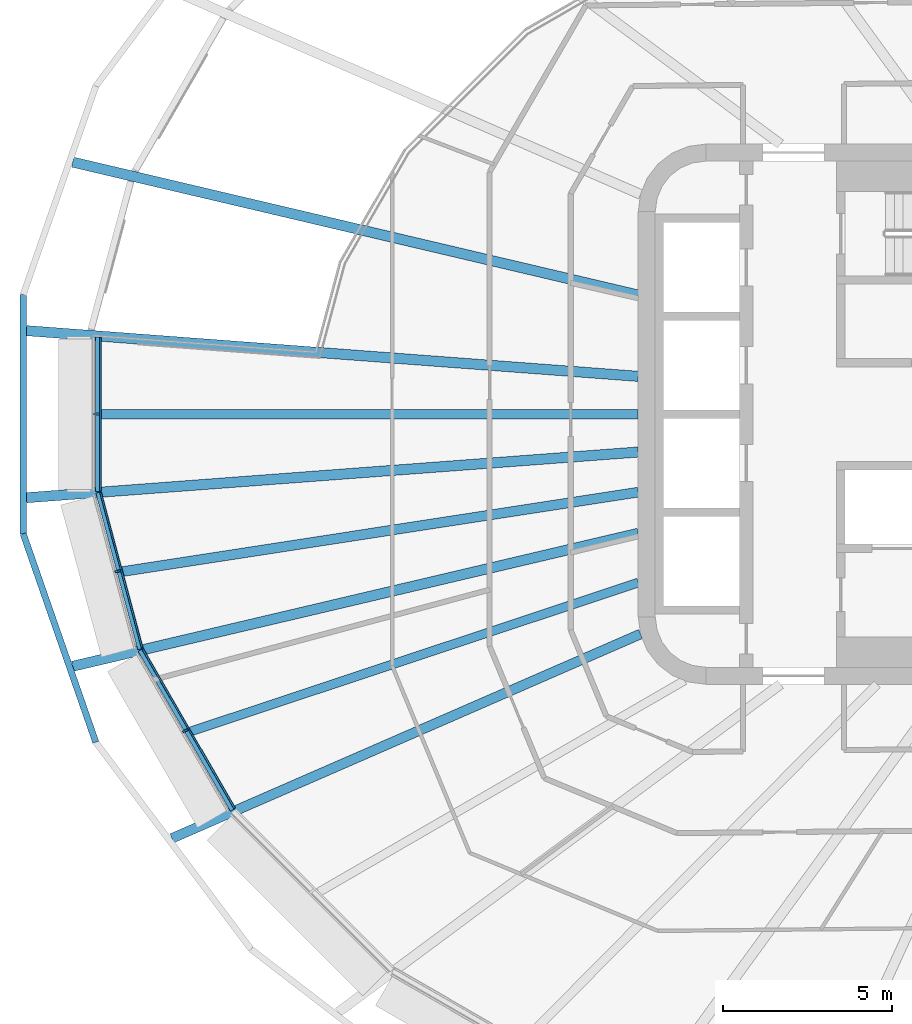
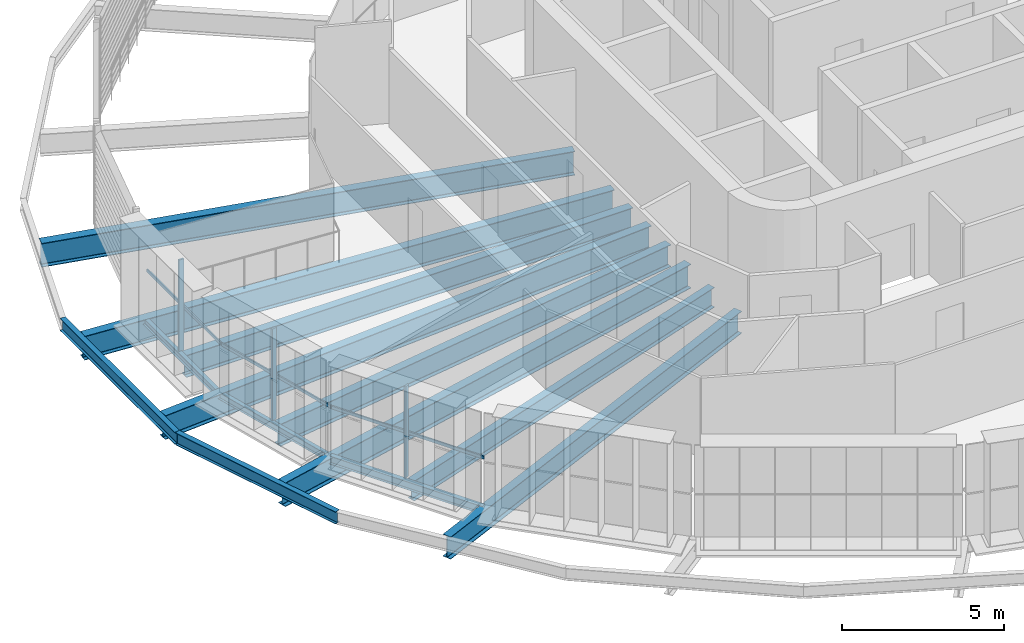
# One storey, part 2 of 23: 13 beams, 6 members, 3 elements without a shape of their own.
"""IFC4 building model written with IfcOpenShell, lengths in metres."""

from ifc_helpers import new_model, si_unit, direction, frame, origin, origin_2d, place, context, subcontext, project, spatial, rectangle, i_section, extrude, material, layer, layer_set, material_profile, profile_set, type_object, element, aggregate, save


model = new_model("IFC4")

# Units and contexts
model_context = context("Model", 3, precision=1e-05, world=origin(), true_north=direction((0.0, 1.0)))
body_context = subcontext(model_context, "Body", "Model", "MODEL_VIEW")
ifc_project = project(units=[si_unit("LENGTHUNIT", "METRE"), si_unit("AREAUNIT", "SQUARE_METRE"), si_unit("VOLUMEUNIT", "CUBIC_METRE"), si_unit("PLANEANGLEUNIT", "RADIAN"), si_unit("MASSUNIT", "GRAM", prefix="KILO")], contexts=[model_context])

# Site, building, storey
site_placement = place(None, origin())
site = spatial("IfcSite", under=ifc_project, at=site_placement, CompositionType="ELEMENT")
building_placement = place(site_placement, origin())
building = spatial("IfcBuilding", under=site, at=building_placement, Name="Sahrelin Media Tower", CompositionType="ELEMENT")
storey_placement = place(building_placement, frame((0.0, 0.0, 173.60009765625)))
storey = spatial("IfcBuildingStorey", under=building, at=storey_placement, Name="L36", CompositionType="ELEMENT", Elevation=173.60009765625)

# Beams
ifc_material_1 = material(Name="Steel S355", Category="steel")
ifc_material_profile_1 = material_profile(ifc_material_1, i_section(OverallWidth=0.14599609375, OverallDepth=0.25146484375, WebThickness=0.006103515625, FlangeThickness=0.008544921875, FilletRadius=0.007568359375, at=origin_2d()), Name="UB 254x146x31")
ifc_profile_set_1 = profile_set([ifc_material_profile_1], Name="Steel S355")
beam_type_1 = type_object("IfcBeamType", Name="Edge beam EB1", PredefinedType="BEAM", material=ifc_profile_set_1)
beam_1_placement = place(storey_placement, frame((-29.753173828125, -6.956787109375, -0.27587890625), z_axis=(-0.258792876481, 0.96593283777, 0.0), x_axis=(-0.96593283777, -0.258792876481, 0.0)))
element("IfcBeam", 1, at=beam_1_placement, inside=storey, type_object=beam_type_1, Name="Edge beam L36-12", PredefinedType="BEAM", context=body_context, shape_type="SweptSolid", body=[
    extrude(i_section(OverallWidth=0.14599609375, OverallDepth=0.25146484375, WebThickness=0.006103515625, FlangeThickness=0.008544921875, FilletRadius=0.007568359375, at=origin_2d()), origin(), (0.0, 0.0, 1.0), 4.799072265625),
])
beam_2_placement = place(storey_placement, frame((-30.998779296875, -2.292724609375, -0.27587890625), z_axis=(0.0, 1.0, 0.0), x_axis=(-1.0, 0.0, 0.0)))
element("IfcBeam", 2, at=beam_2_placement, inside=storey, type_object=beam_type_1, Name="Edge beam L36-13", PredefinedType="BEAM", context=body_context, shape_type="SweptSolid", body=[
    extrude(i_section(OverallWidth=0.14599609375, OverallDepth=0.25146484375, WebThickness=0.006103515625, FlangeThickness=0.008544921875, FilletRadius=0.007568359375, at=origin_2d()), origin(), (0.0, 0.0, 1.0), 4.58544921875),
])
ifc_material_profile_2 = material_profile(ifc_material_1, i_section(OverallWidth=0.1650390625, OverallDepth=0.303466796875, WebThickness=0.006103515625, FlangeThickness=0.01025390625, FilletRadius=0.0087890625, at=origin_2d()), Name="UB 305x165x40")
ifc_profile_set_2 = profile_set([ifc_material_profile_2], Name="Steel S355")
beam_type_2 = type_object("IfcBeamType", Name="Edge beam EB2", PredefinedType="BEAM", material=ifc_profile_set_2)
beam_3_placement = place(storey_placement, frame((-27.007080078125, -11.720458984375, -0.3017578125), z_axis=(-0.500022519152, 0.866012401956, 0.0), x_axis=(-0.866012401956, -0.500022519152, 0.0)))
element("IfcBeam", 3, at=beam_3_placement, inside=storey, type_object=beam_type_2, Name="Edge beam L36-11", PredefinedType="BEAM", context=body_context, shape_type="SweptSolid", body=[
    extrude(i_section(OverallWidth=0.1650390625, OverallDepth=0.303466796875, WebThickness=0.006103515625, FlangeThickness=0.01025390625, FilletRadius=0.0087890625, at=origin_2d()), origin(), (0.0, 0.0, 1.0), 5.469970703125),
])

# Curtain wall, member
ifc_material_2 = material(Name="Champagne anodised aluminium 6063-T6", Category="aluminium")
ifc_layer = layer(ifc_material_2, 0.14990234375)
ifc_layer_set = layer_set([ifc_layer], Name="Tower ribbon curtain wall")
curtain_wall_type = type_object("IfcCurtainWallType", Name="Tower ribbon curtain wall", PredefinedType="NOTDEFINED", material=ifc_layer_set)
curtain_wall_1_placement = place(storey_placement, frame((-31.14892578125, 0.0, 0.0), z_axis=(0.0, 0.0, 1.0), x_axis=(1.0, 0.0, 0.0)))
curtain_wall_1 = element("IfcCurtainWall", 4, at=curtain_wall_1_placement, inside=storey, type_object=curtain_wall_type, Name="L36:CW:L36-12", PredefinedType="NOTDEFINED")
ifc_material_profile_3 = material_profile(ifc_material_2, rectangle(XDim=0.06005859375, YDim=0.175048828125, at=origin_2d()), Name="Mullion 60x175")
ifc_profile_set_3 = profile_set([ifc_material_profile_3], Name="Champagne anodised aluminium 6063-T6")
member_type_1 = type_object("IfcMemberType", Name="Mullion 60x175 CW1B", PredefinedType="MULLION", material=ifc_profile_set_3)
member_1_placement = place(storey_placement, frame((-31.04150390625, 0.0, 0.0), z_axis=(0.0, 0.0, 1.0), x_axis=(0.0, -1.0, 0.0)))
member_1 = element("IfcMember", 5, at=member_1_placement, type_object=member_type_1, Name="L36:CWM:L36-12", PredefinedType="MULLION", context=body_context, shape_type="SweptSolid", body=[
    extrude(rectangle(XDim=0.06005859375, YDim=0.175048828125, at=origin_2d()), origin(), (0.0, 0.0, 1.0), 3.448486328125),
])

curtain_wall_2_placement = place(storey_placement, frame((-30.51904296875, -4.677978515625, 0.0), z_axis=(0.0, 0.0, 1.0), x_axis=(1.0, 0.0, 0.0)))
curtain_wall_2 = element("IfcCurtainWall", 6, at=curtain_wall_2_placement, inside=storey, type_object=curtain_wall_type, Name="L36:CW:L36-13", PredefinedType="NOTDEFINED")
member_2_placement = place(storey_placement, frame((-30.415283203125, -4.650146484375, 0.0), z_axis=(0.0, 0.0, 1.0), x_axis=(0.258820730961, -0.965925374563, 0.0)))
member_2 = element("IfcMember", 7, at=member_2_placement, type_object=member_type_1, Name="L36:CWM:L36-13", PredefinedType="MULLION", context=body_context, shape_type="SweptSolid", body=[
    extrude(rectangle(XDim=0.06005859375, YDim=0.175048828125, at=origin_2d()), origin(), (0.0, 0.0, 1.0), 3.448486328125),
])

curtain_wall_3_placement = place(storey_placement, frame((-28.50439453125, -9.427001953125, 0.0), z_axis=(0.0, 0.0, 1.0), x_axis=(1.0, 0.0, 0.0)))
curtain_wall_3 = element("IfcCurtainWall", 8, at=curtain_wall_3_placement, inside=storey, type_object=curtain_wall_type, Name="L36:CW:L36-14", PredefinedType="NOTDEFINED")
member_3_placement = place(storey_placement, frame((-28.411376953125, -9.373291015625, 0.0), z_axis=(0.0, 0.0, 1.0), x_axis=(0.5, -0.866025403784, 0.0)))
member_3 = element("IfcMember", 9, at=member_3_placement, type_object=member_type_1, Name="L36:CWM:L36-14", PredefinedType="MULLION", context=body_context, shape_type="SweptSolid", body=[
    extrude(rectangle(XDim=0.06005859375, YDim=0.175048828125, at=origin_2d()), origin(), (0.0, 0.0, 1.0), 3.448486328125),
])

# Beams
ifc_material_profile_4 = material_profile(ifc_material_1, i_section(OverallWidth=0.291748046875, OverallDepth=0.8349609375, WebThickness=0.013916015625, FlangeThickness=0.018798828125, FilletRadius=0.017822265625, at=origin_2d()), Name="UB 838x292x176")
ifc_profile_set_4 = profile_set([ifc_material_profile_4], Name="Steel S355")
beam_type_3 = type_object("IfcBeamType", Name="Radial primary beam PB10", PredefinedType="BEAM", material=ifc_profile_set_4)
beam_4_placement = place(storey_placement, frame((-14.932861328125, -6.510986328125, -0.567626953125), z_axis=(-0.916643258443, -0.399706313124, 0.0), x_axis=(0.399706313124, -0.916643258443, 0.0)))
element("IfcBeam", 10, at=beam_4_placement, inside=storey, type_object=beam_type_3, Name="Radial beam L36-15", PredefinedType="BEAM", context=body_context, shape_type="SweptSolid", body=[
    extrude(i_section(OverallWidth=0.291748046875, OverallDepth=0.8349609375, WebThickness=0.013916015625, FlangeThickness=0.018798828125, FilletRadius=0.017822265625, at=origin_2d()), origin(), (0.0, 0.0, 1.0), 15.142333984375),
])
ifc_material_profile_5 = material_profile(ifc_material_1, i_section(OverallWidth=0.30322265625, OverallDepth=0.903076171875, WebThickness=0.01513671875, FlangeThickness=0.020263671875, FilletRadius=0.01904296875, at=origin_2d()), Name="UB 914x305x201")
ifc_profile_set_5 = profile_set([ifc_material_profile_5], Name="Steel S355")
beam_type_4 = type_object("IfcBeamType", Name="Radial primary beam PB11", PredefinedType="BEAM", material=ifc_profile_set_5)
beam_5_placement = place(storey_placement, frame((-15.0, 3.52734375, -0.6015625), z_axis=(-0.973446560377, 0.22891438157, 0.0), x_axis=(-0.22891438157, -0.973446560377, 0.0)))
element("IfcBeam", 11, at=beam_5_placement, inside=storey, type_object=beam_type_4, Name="Radial beam L36-11", PredefinedType="BEAM", context=body_context, shape_type="SweptSolid", body=[
    extrude(i_section(OverallWidth=0.30322265625, OverallDepth=0.903076171875, WebThickness=0.01513671875, FlangeThickness=0.020263671875, FilletRadius=0.01904296875, at=origin_2d()), origin(), (0.0, 0.0, 1.0), 17.20703125),
])
for number, where, z_axis, x_axis, name in (
    (12, (-15.0, 1.12060546875, -0.6015625), (-0.997220411317, 0.074508061664, 0.0), (-0.074508061664, -0.997220411317, 0.0), "Radial beam L36-12"),
    (13, (-15.0, -1.12060546875, -0.6015625), (-0.997220411317, -0.074508061664, 0.0), (0.074508061664, -0.997220411317, 0.0), "Radial beam L36-13"),
):
    element("IfcBeam", number, at=place(storey_placement, frame(where, z_axis=z_axis, x_axis=x_axis)), inside=storey, type_object=beam_type_4, Name=name, PredefinedType="BEAM", context=body_context, shape_type="SweptSolid", body=[
        extrude(i_section(OverallWidth=0.30322265625, OverallDepth=0.903076171875, WebThickness=0.01513671875, FlangeThickness=0.020263671875, FilletRadius=0.01904296875, at=origin_2d()), origin(), (0.0, 0.0, 1.0), 18.172607421875),
    ])
beam_6_placement = place(storey_placement, frame((-15.0, -3.52734375, -0.6015625), z_axis=(-0.973446560377, -0.22891438157, 0.0), x_axis=(0.22891438157, -0.973446560377, 0.0)))
element("IfcBeam", 14, at=beam_6_placement, inside=storey, type_object=beam_type_4, Name="Radial beam L36-14", PredefinedType="BEAM", context=body_context, shape_type="SweptSolid", body=[
    extrude(i_section(OverallWidth=0.30322265625, OverallDepth=0.903076171875, WebThickness=0.01513671875, FlangeThickness=0.020263671875, FilletRadius=0.01904296875, at=origin_2d()), origin(), (0.0, 0.0, 1.0), 17.20703125),
])
ifc_material_profile_6 = material_profile(ifc_material_1, i_section(OverallWidth=0.291748046875, OverallDepth=0.8349609375, WebThickness=0.013916015625, FlangeThickness=0.018798828125, FilletRadius=0.017822265625, at=origin_2d()), Name="UB 838x292x176")
ifc_profile_set_6 = profile_set([ifc_material_profile_6], Name="Steel S355")
beam_type_5 = type_object("IfcBeamType", Name="Radial secondary beam SB10", PredefinedType="BEAM", material=ifc_profile_set_6)
beam_7_placement = place(storey_placement, frame((-15.0, 0.0, -0.567626953125), z_axis=(-1.0, 0.0, 0.0), x_axis=(0.0, -1.0, 0.0)))
element("IfcBeam", 15, at=beam_7_placement, inside=storey, type_object=beam_type_5, Name="Secondary beam L36-08", PredefinedType="BEAM", context=body_context, shape_type="SweptSolid", body=[
    extrude(i_section(OverallWidth=0.291748046875, OverallDepth=0.8349609375, WebThickness=0.013916015625, FlangeThickness=0.018798828125, FilletRadius=0.017822265625, at=origin_2d()), origin(), (0.0, 0.0, 1.0), 15.92578125),
])
beam_8_placement = place(storey_placement, frame((-15.0, -2.3095703125, -0.567626953125), z_axis=(-0.988355456355, -0.152162715185, 0.0), x_axis=(0.152162715185, -0.988355456355, 0.0)))
element("IfcBeam", 16, at=beam_8_placement, inside=storey, type_object=beam_type_5, Name="Secondary beam L36-09", PredefinedType="BEAM", context=body_context, shape_type="SweptSolid", body=[
    extrude(i_section(OverallWidth=0.291748046875, OverallDepth=0.8349609375, WebThickness=0.013916015625, FlangeThickness=0.018798828125, FilletRadius=0.017822265625, at=origin_2d()), origin(), (0.0, 0.0, 1.0), 15.471923828125),
])
ifc_material_profile_7 = material_profile(ifc_material_1, i_section(OverallWidth=0.26513671875, OverallDepth=0.75390625, WebThickness=0.0126953125, FlangeThickness=0.017578125, FilletRadius=0.0166015625, at=origin_2d()), Name="UB 762x267x147")
ifc_profile_set_7 = profile_set([ifc_material_profile_7], Name="Steel S355")
beam_type_6 = type_object("IfcBeamType", Name="Radial secondary beam SB9", PredefinedType="BEAM", material=ifc_profile_set_7)
beam_9_placement = place(storey_placement, frame((-15.0, -4.98876953125, -0.527099609375), z_axis=(-0.948901563502, -0.315572214848, 0.0), x_axis=(0.315572214848, -0.948901563502, 0.0)))
element("IfcBeam", 17, at=beam_9_placement, inside=storey, type_object=beam_type_6, Name="Secondary beam L36-10", PredefinedType="BEAM", context=body_context, shape_type="SweptSolid", body=[
    extrude(i_section(OverallWidth=0.26513671875, OverallDepth=0.75390625, WebThickness=0.0126953125, FlangeThickness=0.017578125, FilletRadius=0.0166015625, at=origin_2d()), origin(), (0.0, 0.0, 1.0), 13.96728515625),
])
ifc_material_profile_8 = material_profile(ifc_material_1, i_section(OverallWidth=0.1904296875, OverallDepth=0.45703125, WebThickness=0.009033203125, FlangeThickness=0.014404296875, FilletRadius=0.01025390625, at=origin_2d()), Name="UB 457x191x74")
ifc_profile_set_8 = profile_set([ifc_material_profile_8], Name="Steel S355")
beam_type_7 = type_object("IfcBeamType", Name="Tie chord TC5", PredefinedType="BEAM", material=ifc_profile_set_8)
beam_10_placement = place(storey_placement, frame((-33.21728515625, 3.541748046875, -0.378662109375), z_axis=(0.0, -1.0, 0.0), x_axis=(1.0, 0.0, 0.0)))
element("IfcBeam", 18, at=beam_10_placement, inside=storey, type_object=beam_type_7, Name="Tie chord L36-12", PredefinedType="BEAM", context=body_context, shape_type="SweptSolid", body=[
    extrude(i_section(OverallWidth=0.1904296875, OverallDepth=0.45703125, WebThickness=0.009033203125, FlangeThickness=0.014404296875, FilletRadius=0.01025390625, at=origin_2d()), origin(), (0.0, 0.0, 1.0), 7.08349609375),
])
beam_11_placement = place(storey_placement, frame((-33.21728515625, -3.541748046875, -0.378662109375), z_axis=(0.328791447129, -0.944402554155, 0.0), x_axis=(0.944402554155, 0.328791447129, 0.0)))
element("IfcBeam", 19, at=beam_11_placement, inside=storey, type_object=beam_type_7, Name="Tie chord L36-13", PredefinedType="BEAM", context=body_context, shape_type="SweptSolid", body=[
    extrude(i_section(OverallWidth=0.1904296875, OverallDepth=0.45703125, WebThickness=0.009033203125, FlangeThickness=0.014404296875, FilletRadius=0.01025390625, at=origin_2d()), origin(), (0.0, 0.0, 1.0), 6.5380859375),
])

# Member
ifc_material_profile_9 = material_profile(ifc_material_2, rectangle(XDim=0.050048828125, YDim=0.110107421875, at=origin_2d()), Name="Transom 50x110")
ifc_profile_set_9 = profile_set([ifc_material_profile_9], Name="Champagne anodised aluminium 6063-T6")
member_type_2 = type_object("IfcMemberType", Name="Transom 50x110 CW1B", PredefinedType="USERDEFINED", material=ifc_profile_set_9)
member_4_placement = place(storey_placement, frame((-30.928955078125, 2.277099609375, 1.599853515625), z_axis=(0.0, -1.0, 0.0), x_axis=(1.0, 0.0, 0.0)))
member_4 = element("IfcMember", 20, at=member_4_placement, type_object=member_type_2, Name="L36:CWT:L36-12", ObjectType="TRANSOM", PredefinedType="USERDEFINED", context=body_context, shape_type="SweptSolid", body=[
    extrude(rectangle(XDim=0.050048828125, YDim=0.110107421875, at=origin_2d()), origin(), (0.0, 0.0, 1.0), 4.55419921875),
])

aggregate(curtain_wall_1, [member_1, member_4])

member_5_placement = place(storey_placement, frame((-30.923583984375, -2.318603515625, 1.599853515625), z_axis=(0.258864068635, -0.965913761145, 0.0), x_axis=(0.965913761145, 0.258864068635, 0.0)))
member_5 = element("IfcMember", 21, at=member_5_placement, type_object=member_type_2, Name="L36:CWT:L36-13", ObjectType="TRANSOM", PredefinedType="USERDEFINED", context=body_context, shape_type="SweptSolid", body=[
    extrude(rectangle(XDim=0.050048828125, YDim=0.110107421875, at=origin_2d()), origin(), (0.0, 0.0, 1.0), 4.767578125),
])

aggregate(curtain_wall_2, [member_2, member_5])

member_6_placement = place(storey_placement, frame((-29.673583984375, -6.9619140625, 1.599853515625), z_axis=(0.499991872758, -0.866030095999, 0.0), x_axis=(0.866030095999, 0.499991872758, 0.0)))
member_6 = element("IfcMember", 22, at=member_6_placement, type_object=member_type_2, Name="L36:CWT:L36-14", ObjectType="TRANSOM", PredefinedType="USERDEFINED", context=body_context, shape_type="SweptSolid", body=[
    extrude(rectangle(XDim=0.050048828125, YDim=0.110107421875, at=origin_2d()), origin(), (0.0, 0.0, 1.0), 5.4384765625),
])

aggregate(curtain_wall_3, [member_3, member_6])

save(model, "model.ifc")
